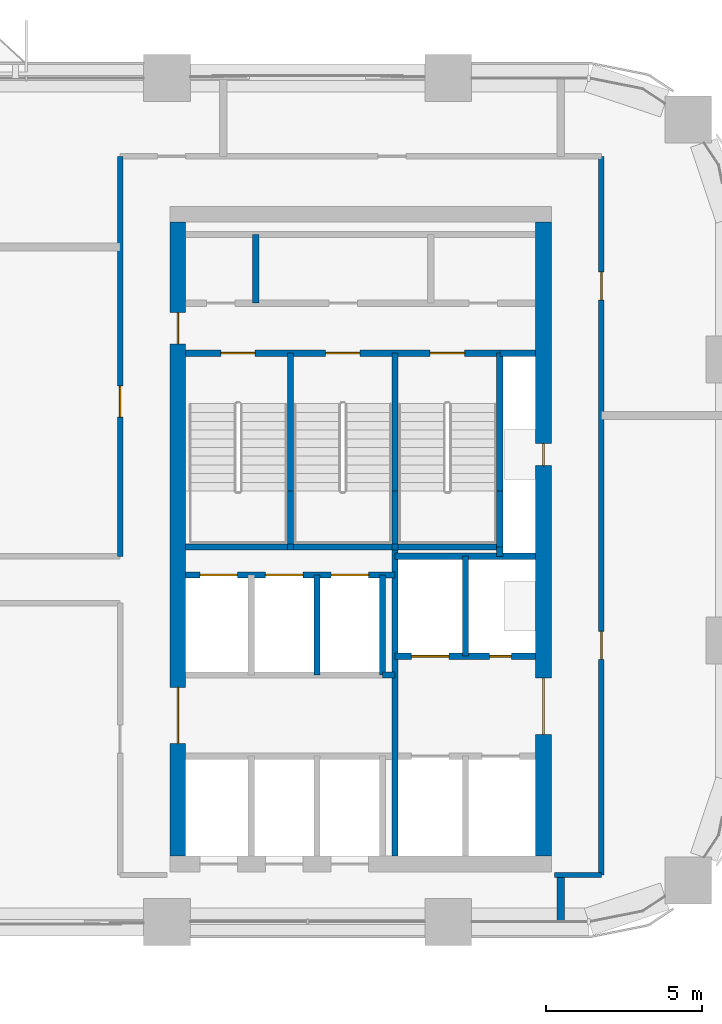
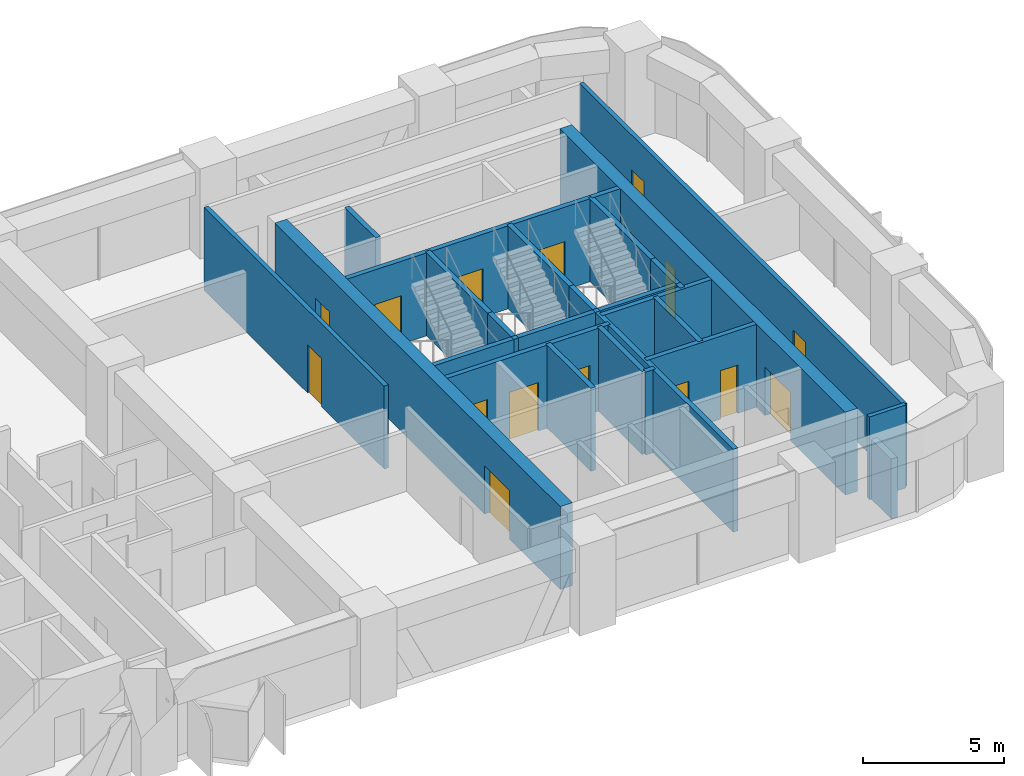
# One storey, part 10 of 13: 29 walls, 15 doors, 15 openings.
"""IFC4 building model written with IfcOpenShell, lengths in metres."""

from ifc_helpers import new_model, si_unit, direction, frame, frame_2d, origin, place, context, subcontext, project, spatial, rectangle, extrude, material, layer, layer_set, type_object, element, fill, save


model = new_model("IFC4")

# Units and contexts
model_context = context("Model", 3, precision=1e-05, world=origin(), true_north=direction((0.0, 1.0)))
body_context = subcontext(model_context, "Body", "Model", "MODEL_VIEW")
ifc_project = project(units=[si_unit("LENGTHUNIT", "METRE"), si_unit("AREAUNIT", "SQUARE_METRE"), si_unit("VOLUMEUNIT", "CUBIC_METRE"), si_unit("PLANEANGLEUNIT", "RADIAN"), si_unit("MASSUNIT", "GRAM", prefix="KILO")], contexts=[model_context])

# Site, building, storey
site_placement = place(None, origin())
site = spatial("IfcSite", under=ifc_project, at=site_placement, CompositionType="ELEMENT")
building_placement = place(site_placement, origin())
building = spatial("IfcBuilding", under=site, at=building_placement, Name="Tessera Arch", CompositionType="ELEMENT")
storey_placement = place(building_placement, frame((0.0, 0.0, 162.199951171875)))
storey = spatial("IfcBuildingStorey", under=building, at=storey_placement, Name="L38", CompositionType="ELEMENT", Elevation=162.199951171875)

# Walls
ifc_material_1 = material(Name="Gypsum board on steel stud", Category="steel")
ifc_layer_1 = layer(ifc_material_1, 0.125)
ifc_layer_set_1 = layer_set([ifc_layer_1], Name="Core partition 125 EI 60")
wall_type_1 = type_object("IfcWallType", Name="Core partition 125 EI 60", PredefinedType="PARTITIONING", material=ifc_layer_set_1)
wall_1_placement = place(storey_placement, frame((38.840087890625, 46.800048828125, 0.0), z_axis=(0.0, 0.0, 1.0), x_axis=(0.0, 1.0, 0.0)))
element("IfcWall", 1, at=wall_1_placement, inside=storey, type_object=wall_type_1, Name="L38 C1 partition wall 3", PredefinedType="PARTITIONING", context=body_context, shape_type="SweptSolid", body=[
    extrude(rectangle(XDim=2.199951171875, YDim=0.199951171875, at=frame_2d((1.10009765625, 0.0))), origin(), (0.0, 0.0, 1.0), 3.60009765625),
])
wall_2_placement = place(storey_placement, frame((42.89990234375, 34.89990234375, 0.0), z_axis=(0.0, 0.0, 1.0), x_axis=(1.0, 0.0, 0.0)))
element("IfcWall", 2, at=wall_2_placement, inside=storey, type_object=wall_type_1, Name="L38 C1 partition wall 20", PredefinedType="PARTITIONING", context=body_context, shape_type="SweptSolid", body=[
    extrude(rectangle(XDim=0.400146484375, YDim=0.199951171875, at=frame_2d((0.2001953125, 0.0))), origin(), (0.0, 0.0, 1.0), 3.60009765625),
])

# Wall, openings, doors
ifc_material_2 = material(Name="Concrete C60/75", Category="concrete")
ifc_layer_2 = layer(ifc_material_2, 0.5)
ifc_layer_set_2 = layer_set([ifc_layer_2], Name="Core shell wall 500 C60-75")
wall_type_2 = type_object("IfcWallType", Name="Core shell wall 500 C60-75", PredefinedType="SHEAR", material=ifc_layer_set_2)
wall_3_placement = place(storey_placement, frame((36.35009765625, 29.10009765625, 0.0), z_axis=(0.0, 0.0, 1.0), x_axis=(0.0, 1.0, 0.0)))
wall_3 = element("IfcWall", 3, at=wall_3_placement, inside=storey, type_object=wall_type_2, Name="L38 C1 core wall W", PredefinedType="SHEAR", context=body_context, shape_type="SweptSolid", body=[
    extrude(rectangle(XDim=20.2998046875, YDim=0.5, at=frame_2d((10.14990234375, 0.0))), origin(), (0.0, 0.0, 1.0), 3.60009765625),
])
opening_1_placement = place(wall_3_placement, frame((3.60009765625, 0.0, 0.0)))
opening_1 = element("IfcOpeningElement", 4, at=opening_1_placement, cuts=wall_3, Name="Opening L38-C10", PredefinedType="OPENING", context=body_context, shape_type="SweptSolid", body=[
    extrude(rectangle(XDim=1.800048828125, YDim=2.10009765625, at=frame_2d((0.89990234375, 1.050048828125))), frame((0.0, 0.260009765625, 0.0), z_axis=(0.0, -1.0, 0.0), x_axis=(1.0, 0.0, 0.0)), (0.0, 0.0, 1.0), 0.52001953125),
])
opening_2_placement = place(wall_3_placement, frame((16.39990234375, 0.0, 0.0)))
opening_2 = element("IfcOpeningElement", 5, at=opening_2_placement, cuts=wall_3, Name="Opening L38-C17", PredefinedType="OPENING", context=body_context, shape_type="SweptSolid", body=[
    extrude(rectangle(XDim=1.0, YDim=2.10009765625, at=frame_2d((0.5, 1.050048828125))), frame((0.0, 0.260009765625, 0.0), z_axis=(0.0, -1.0, 0.0), x_axis=(1.0, 0.0, 0.0)), (0.0, 0.0, 1.0), 0.52001953125),
])
ifc_material_3 = material(Name="Steel door leaf", Category="steel")
door_type_1 = type_object("IfcDoorType", Name="Corridor door FD60 1000 x 2100", OperationType="SINGLE_SWING_LEFT", PredefinedType="DOOR", material=ifc_material_3)
door_1_placement = place(opening_2_placement, origin())
door_1 = element("IfcDoor", 6, at=door_1_placement, inside=storey, type_object=door_type_1, Name="L38 C1 door 17 C17 type D12", OperationType="SINGLE_SWING_RIGHT", OverallHeight=2.10009765625, OverallWidth=1.0, PredefinedType="DOOR", context=body_context, shape_type="SweptSolid", body=[
    extrude(rectangle(XDim=1.0, YDim=2.10009765625, at=frame_2d((0.5, 1.050048828125))), frame((0.0, 0.02490234375, 0.0), z_axis=(0.0, -1.0, 0.0), x_axis=(1.0, 0.0, 0.0)), (0.0, 0.0, 1.0), 0.050048828125),
])
fill(opening_2, door_1)
ifc_material_4 = material(Name="Glazed steel door leaf", Category="steel")
door_type_2 = type_object("IfcDoorType", Name="Lobby double door FD30S 1800 x 2100", OperationType="DOUBLE_DOOR_SINGLE_SWING", PredefinedType="DOOR", material=ifc_material_4)
door_2_placement = place(opening_1_placement, origin())
door_2 = element("IfcDoor", 7, at=door_2_placement, inside=storey, type_object=door_type_2, Name="L38 C1 door 10 C10 type D06", OperationType="DOUBLE_DOOR_SINGLE_SWING", OverallHeight=2.10009765625, OverallWidth=1.800048828125, PredefinedType="DOOR", context=body_context, shape_type="SweptSolid", body=[
    extrude(rectangle(XDim=1.800048828125, YDim=2.10009765625, at=frame_2d((0.89990234375, 1.050048828125))), frame((0.0, 0.02490234375, 0.0), z_axis=(0.0, -1.0, 0.0), x_axis=(1.0, 0.0, 0.0)), (0.0, 0.0, 1.0), 0.050048828125),
])
fill(opening_1, door_2)

wall_4_placement = place(storey_placement, frame((48.050048828125, 29.10009765625, 0.0), z_axis=(0.0, 0.0, 1.0), x_axis=(0.0, 1.0, 0.0)))
wall_4 = element("IfcWall", 8, at=wall_4_placement, inside=storey, type_object=wall_type_2, Name="L38 C1 core wall E", PredefinedType="SHEAR", context=body_context, shape_type="SweptSolid", body=[
    extrude(rectangle(XDim=20.2998046875, YDim=0.5, at=frame_2d((10.14990234375, 0.0))), origin(), (0.0, 0.0, 1.0), 3.60009765625),
])
opening_3_placement = place(wall_4_placement, frame((12.5, 0.0, 0.0)))
opening_3 = element("IfcOpeningElement", 9, at=opening_3_placement, cuts=wall_4, Name="Opening L38-C14", PredefinedType="OPENING", context=body_context, shape_type="SweptSolid", body=[
    extrude(rectangle(XDim=0.699951171875, YDim=2.10009765625, at=frame_2d((0.35009765625, 1.050048828125))), frame((0.0, 0.260009765625, 0.0), z_axis=(0.0, -1.0, 0.0), x_axis=(1.0, 0.0, 0.0)), (0.0, 0.0, 1.0), 0.52001953125),
])
opening_4_placement = place(wall_4_placement, frame((3.89990234375, 0.0, 0.0)))
opening_4 = element("IfcOpeningElement", 10, at=opening_4_placement, cuts=wall_4, Name="Opening L38-C15", PredefinedType="OPENING", context=body_context, shape_type="SweptSolid", body=[
    extrude(rectangle(XDim=1.800048828125, YDim=2.10009765625, at=frame_2d((0.89990234375, 1.050048828125))), frame((0.0, 0.260009765625, 0.0), z_axis=(0.0, -1.0, 0.0), x_axis=(1.0, 0.0, 0.0)), (0.0, 0.0, 1.0), 0.52001953125),
])
ifc_material_5 = material(Name="Glazed steel door leaf", Category="steel")
door_type_3 = type_object("IfcDoorType", Name="Lobby double door FD60 1800 x 2100", OperationType="DOUBLE_DOOR_SINGLE_SWING", PredefinedType="DOOR", material=ifc_material_5)
door_3_placement = place(opening_4_placement, origin())
door_3 = element("IfcDoor", 11, at=door_3_placement, inside=storey, type_object=door_type_3, Name="L38 C1 door 15 C15 type D19", OperationType="DOUBLE_DOOR_SINGLE_SWING", OverallHeight=2.10009765625, OverallWidth=1.800048828125, PredefinedType="DOOR", context=body_context, shape_type="SweptSolid", body=[
    extrude(rectangle(XDim=1.800048828125, YDim=2.10009765625, at=frame_2d((0.89990234375, 1.050048828125))), frame((0.0, 0.02490234375, 0.0), z_axis=(0.0, -1.0, 0.0), x_axis=(1.0, 0.0, 0.0)), (0.0, 0.0, 1.0), 0.050048828125),
])
fill(opening_4, door_3)
ifc_material_6 = material(Name="Steel door leaf", Category="steel")
door_type_4 = type_object("IfcDoorType", Name="Service shaft door FD60 700 x 2100", OperationType="SINGLE_SWING_LEFT", PredefinedType="DOOR", material=ifc_material_6)
door_4_placement = place(opening_3_placement, origin())
door_4 = element("IfcDoor", 12, at=door_4_placement, inside=storey, type_object=door_type_4, Name="L38 C1 door 14 C14 type D07", OperationType="SINGLE_SWING_RIGHT", OverallHeight=2.10009765625, OverallWidth=0.699951171875, PredefinedType="DOOR", context=body_context, shape_type="SweptSolid", body=[
    extrude(rectangle(XDim=0.699951171875, YDim=2.10009765625, at=frame_2d((0.35009765625, 1.050048828125))), frame((0.0, 0.02490234375, 0.0), z_axis=(0.0, -1.0, 0.0), x_axis=(1.0, 0.0, 0.0)), (0.0, 0.0, 1.0), 0.050048828125),
])
fill(opening_3, door_4)

# Wall
ifc_material_7 = material(Name="Gypsum board on deep steel stud with mineral wool", Category="steel")
ifc_layer_3 = layer(ifc_material_7, 0.175048828125)
ifc_layer_set_3 = layer_set([ifc_layer_3], Name="Corridor wall 175 EI 60")
wall_type_3 = type_object("IfcWallType", Name="Corridor wall 175 EI 60", PredefinedType="PARTITIONING", material=ifc_layer_set_3)
wall_5_placement = place(storey_placement, frame((48.39990234375, 28.5, 0.0), z_axis=(0.0, 0.0, 1.0), x_axis=(1.0, 0.0, 0.0)))
element("IfcWall", 13, at=wall_5_placement, inside=storey, type_object=wall_type_3, Name="L38 partition 4", PredefinedType="PARTITIONING", context=body_context, shape_type="SweptSolid", body=[
    extrude(rectangle(XDim=1.5, YDim=0.175048828125, at=frame_2d((0.75, 0.0))), origin(), (0.0, 0.0, 1.0), 3.60009765625),
])

# Wall, opening, door
wall_6_placement = place(storey_placement, frame((34.5, 38.699951171875, 0.0), z_axis=(0.0, 0.0, 1.0), x_axis=(0.0, 1.0, 0.0)))
wall_6 = element("IfcWall", 14, at=wall_6_placement, inside=storey, type_object=wall_type_3, Name="L38 partition 13", PredefinedType="PARTITIONING", context=body_context, shape_type="SweptSolid", body=[
    extrude(rectangle(XDim=12.800048828125, YDim=0.175048828125, at=frame_2d((6.39990234375, 0.0))), origin(), (0.0, 0.0, 1.0), 3.60009765625),
])
opening_5_placement = place(wall_6_placement, frame((4.449951171875, 0.0, 0.0)))
opening_5 = element("IfcOpeningElement", 15, at=opening_5_placement, cuts=wall_6, Name="Opening L38-D010", PredefinedType="OPENING", context=body_context, shape_type="SweptSolid", body=[
    extrude(rectangle(XDim=1.0, YDim=2.10009765625, at=frame_2d((0.5, 1.050048828125))), frame((0.0, 0.097412109375, 0.0), z_axis=(0.0, -1.0, 0.0), x_axis=(1.0, 0.0, 0.0)), (0.0, 0.0, 1.0), 0.195068359375),
])
ifc_material_8 = material(Name="Fire-rated door leaf")
door_type_5 = type_object("IfcDoorType", Name="Entrance door FD30S 1000 x 2100", OperationType="SINGLE_SWING_LEFT", PredefinedType="DOOR", material=ifc_material_8)
door_5_placement = place(opening_5_placement, origin())
door_5 = element("IfcDoor", 16, at=door_5_placement, inside=storey, type_object=door_type_5, Name="L38 door D010 type D03", OperationType="SINGLE_SWING_LEFT", OverallHeight=2.10009765625, OverallWidth=1.0, PredefinedType="DOOR", context=body_context, shape_type="SweptSolid", body=[
    extrude(rectangle(XDim=1.0, YDim=2.10009765625, at=frame_2d((0.5, 1.050048828125))), frame((0.0, 0.02490234375, 0.0), z_axis=(0.0, -1.0, 0.0), x_axis=(1.0, 0.0, 0.0)), (0.0, 0.0, 1.0), 0.050048828125),
])
fill(opening_5, door_5)

# Wall, openings, doors
wall_7_placement = place(storey_placement, frame((49.89990234375, 28.5, 0.0), z_axis=(0.0, 0.0, 1.0), x_axis=(0.0, 1.0, 0.0)))
wall_7 = element("IfcWall", 17, at=wall_7_placement, inside=storey, type_object=wall_type_3, Name="L38 partition 14", PredefinedType="PARTITIONING", context=body_context, shape_type="SweptSolid", body=[
    extrude(rectangle(XDim=23.0, YDim=0.175048828125, at=frame_2d((11.5, 0.0))), origin(), (0.0, 0.0, 1.0), 3.60009765625),
])
opening_6_placement = place(wall_7_placement, frame((6.89990234375, 0.0, 0.0)))
opening_6 = element("IfcOpeningElement", 18, at=opening_6_placement, cuts=wall_7, Name="Opening L38-D008", PredefinedType="OPENING", context=body_context, shape_type="SweptSolid", body=[
    extrude(rectangle(XDim=0.89990234375, YDim=2.10009765625, at=frame_2d((0.449951171875, 1.050048828125))), frame((0.0, 0.097412109375, 0.0), z_axis=(0.0, -1.0, 0.0), x_axis=(1.0, 0.0, 0.0)), (0.0, 0.0, 1.0), 0.195068359375),
])
opening_7_placement = place(wall_7_placement, frame((18.39990234375, 0.0, 0.0)))
opening_7 = element("IfcOpeningElement", 19, at=opening_7_placement, cuts=wall_7, Name="Opening L38-D015", PredefinedType="OPENING", context=body_context, shape_type="SweptSolid", body=[
    extrude(rectangle(XDim=0.89990234375, YDim=2.10009765625, at=frame_2d((0.449951171875, 1.050048828125))), frame((0.0, 0.097412109375, 0.0), z_axis=(0.0, -1.0, 0.0), x_axis=(1.0, 0.0, 0.0)), (0.0, 0.0, 1.0), 0.195068359375),
])
ifc_material_9 = material(Name="Timber door leaf", Category="wood")
door_type_6 = type_object("IfcDoorType", Name="Room door 900 x 2100", OperationType="SINGLE_SWING_LEFT", PredefinedType="DOOR", material=ifc_material_9)
door_6_placement = place(opening_6_placement, origin())
door_6 = element("IfcDoor", 20, at=door_6_placement, inside=storey, type_object=door_type_6, Name="L38 door D008 type D01", OperationType="SINGLE_SWING_RIGHT", OverallHeight=2.10009765625, OverallWidth=0.89990234375, PredefinedType="DOOR", context=body_context, shape_type="SweptSolid", body=[
    extrude(rectangle(XDim=0.89990234375, YDim=2.10009765625, at=frame_2d((0.449951171875, 1.050048828125))), frame((0.0, 0.02490234375, 0.0), z_axis=(0.0, -1.0, 0.0), x_axis=(1.0, 0.0, 0.0)), (0.0, 0.0, 1.0), 0.050048828125),
])
fill(opening_6, door_6)
door_7_placement = place(opening_7_placement, origin())
door_7 = element("IfcDoor", 21, at=door_7_placement, inside=storey, type_object=door_type_6, Name="L38 door D015 type D01", OperationType="SINGLE_SWING_RIGHT", OverallHeight=2.10009765625, OverallWidth=0.89990234375, PredefinedType="DOOR", context=body_context, shape_type="SweptSolid", body=[
    extrude(rectangle(XDim=0.89990234375, YDim=2.10009765625, at=frame_2d((0.449951171875, 1.050048828125))), frame((0.0, 0.02490234375, 0.0), z_axis=(0.0, -1.0, 0.0), x_axis=(1.0, 0.0, 0.0)), (0.0, 0.0, 1.0), 0.050048828125),
])
fill(opening_7, door_7)

# Walls
ifc_material_10 = material(Name="Double gypsum board on twin steel stud with acoustic mineral wool", Category="steel")
ifc_layer_4 = layer(ifc_material_10, 0.25)
ifc_layer_set_4 = layer_set([ifc_layer_4], Name="Party wall 250 EI 60")
wall_type_4 = type_object("IfcWallType", Name="Party wall 250 EI 60", PredefinedType="PARTITIONING", material=ifc_layer_set_4)
wall_8_placement = place(storey_placement, frame((48.60009765625, 27.0, 0.0), z_axis=(0.0, 0.0, 1.0), x_axis=(0.0, 1.0, 0.0)))
element("IfcWall", 22, at=wall_8_placement, inside=storey, type_object=wall_type_4, Name="L38 partition 29", PredefinedType="PARTITIONING", context=body_context, shape_type="SweptSolid", body=[
    extrude(rectangle(XDim=1.5, YDim=0.25, at=frame_2d((0.75, 0.0))), origin(), (0.0, 0.0, 1.0), 2.60009765625),
])
ifc_material_11 = material(Name="Concrete C40/50", Category="concrete")
ifc_layer_5 = layer(ifc_material_11, 0.199951171875)
ifc_layer_set_5 = layer_set([ifc_layer_5], Name="Shaft wall 200 EI 120")
wall_type_5 = type_object("IfcWallType", Name="Shaft wall 200 EI 120", PredefinedType="SOLIDWALL", material=ifc_layer_set_5)
for number, where, z_axis, x_axis, name in (
    (23, (40.800048828125, 34.89990234375, 0.0), (0.0, 0.0, 1.0), (0.0, 1.0, 0.0), "L38 C1 shaft wall 7"),
    (24, (42.89990234375, 34.89990234375, 0.0), (0.0, 0.0, 1.0), (0.0, 1.0, 0.0), "L38 C1 shaft wall 9"),
):
    element("IfcWall", number, at=place(storey_placement, frame(where, z_axis=z_axis, x_axis=x_axis)), inside=storey, type_object=wall_type_5, Name=name, PredefinedType="SOLIDWALL", context=body_context, shape_type="SweptSolid", body=[
        extrude(rectangle(XDim=3.2001953125, YDim=0.199951171875, at=frame_2d((1.60009765625, 0.0))), origin(), (0.0, 0.0, 1.0), 3.60009765625),
    ])
wall_9_placement = place(storey_placement, frame((43.300048828125, 29.10009765625, 0.0), z_axis=(0.0, 0.0, 1.0), x_axis=(0.0, 1.0, 0.0)))
element("IfcWall", 25, at=wall_9_placement, inside=storey, type_object=wall_type_5, Name="L38 C1 shaft wall 10", PredefinedType="SOLIDWALL", context=body_context, shape_type="SweptSolid", body=[
    extrude(rectangle(XDim=9.89990234375, YDim=0.199951171875, at=frame_2d((4.949951171875, 0.0))), origin(), (0.0, 0.0, 1.0), 3.60009765625),
])
wall_10_placement = place(storey_placement, frame((45.550048828125, 35.5, 0.0), z_axis=(0.0, 0.0, 1.0), x_axis=(0.0, 1.0, 0.0)))
element("IfcWall", 26, at=wall_10_placement, inside=storey, type_object=wall_type_5, Name="L38 C1 shaft wall 15", PredefinedType="SOLIDWALL", context=body_context, shape_type="SweptSolid", body=[
    extrude(rectangle(XDim=3.199951171875, YDim=0.199951171875, at=frame_2d((1.60009765625, 0.0))), origin(), (0.0, 0.0, 1.0), 3.60009765625),
])
wall_11_placement = place(storey_placement, frame((46.64990234375, 38.699951171875, 0.0), z_axis=(0.0, 0.0, 1.0), x_axis=(0.0, 1.0, 0.0)))
element("IfcWall", 27, at=wall_11_placement, inside=storey, type_object=wall_type_5, Name="L38 C1 shaft wall 16", PredefinedType="SOLIDWALL", context=body_context, shape_type="SweptSolid", body=[
    extrude(rectangle(XDim=0.300048828125, YDim=0.199951171875, at=frame_2d((0.14990234375, 0.0))), origin(), (0.0, 0.0, 1.0), 3.60009765625),
])

# Wall, openings, doors
wall_12_placement = place(storey_placement, frame((43.300048828125, 35.5, 0.0), z_axis=(0.0, 0.0, 1.0), x_axis=(1.0, 0.0, 0.0)))
wall_12 = element("IfcWall", 28, at=wall_12_placement, inside=storey, type_object=wall_type_5, Name="L38 C1 shaft wall 22", PredefinedType="SOLIDWALL", context=body_context, shape_type="SweptSolid", body=[
    extrude(rectangle(XDim=4.5, YDim=0.199951171875, at=frame_2d((2.25, 0.0))), origin(), (0.0, 0.0, 1.0), 3.60009765625),
])
opening_8_placement = place(wall_12_placement, frame((0.52490234375, 0.0, 0.0)))
opening_8 = element("IfcOpeningElement", 29, at=opening_8_placement, cuts=wall_12, Name="Opening L38-C09", PredefinedType="OPENING", context=body_context, shape_type="SweptSolid", body=[
    extrude(rectangle(XDim=1.199951171875, YDim=2.10009765625, at=frame_2d((0.60009765625, 1.050048828125))), frame((0.0, 0.10986328125, 0.0), z_axis=(0.0, -1.0, 0.0), x_axis=(1.0, 0.0, 0.0)), (0.0, 0.0, 1.0), 0.219970703125),
])
opening_9_placement = place(wall_12_placement, frame((3.02490234375, 0.0, 0.0)))
opening_9 = element("IfcOpeningElement", 30, at=opening_9_placement, cuts=wall_12, Name="Opening L38-C16", PredefinedType="OPENING", context=body_context, shape_type="SweptSolid", body=[
    extrude(rectangle(XDim=0.699951171875, YDim=2.10009765625, at=frame_2d((0.35009765625, 1.050048828125))), frame((0.0, 0.10986328125, 0.0), z_axis=(0.0, -1.0, 0.0), x_axis=(1.0, 0.0, 0.0)), (0.0, 0.0, 1.0), 0.219970703125),
])
door_8_placement = place(opening_9_placement, origin())
door_8 = element("IfcDoor", 31, at=door_8_placement, inside=storey, type_object=door_type_4, Name="L38 C1 door 16 C16 type D07", OperationType="SINGLE_SWING_RIGHT", OverallHeight=2.10009765625, OverallWidth=0.699951171875, PredefinedType="DOOR", context=body_context, shape_type="SweptSolid", body=[
    extrude(rectangle(XDim=0.699951171875, YDim=2.10009765625, at=frame_2d((0.35009765625, 1.050048828125))), frame((0.0, 0.02490234375, 0.0), z_axis=(0.0, -1.0, 0.0), x_axis=(1.0, 0.0, 0.0)), (0.0, 0.0, 1.0), 0.050048828125),
])
fill(opening_9, door_8)
ifc_material_12 = material(Name="Stainless steel AISI 304", Category="steel")
door_type_7 = type_object("IfcDoorType", Name="Sliding landing door 1200 x 2100", OperationType="SLIDING_TO_LEFT", PredefinedType="DOOR", material=ifc_material_12)
door_9_placement = place(opening_8_placement, origin())
door_9 = element("IfcDoor", 32, at=door_9_placement, inside=storey, type_object=door_type_7, Name="L38 SV2 lift landing door C09 type LD", OperationType="SLIDING_TO_LEFT", OverallHeight=2.10009765625, OverallWidth=1.199951171875, PredefinedType="DOOR", context=body_context, shape_type="SweptSolid", body=[
    extrude(rectangle(XDim=1.199951171875, YDim=2.10009765625, at=frame_2d((0.60009765625, 1.050048828125))), frame((0.0, 0.02490234375, 0.0), z_axis=(0.0, -1.0, 0.0), x_axis=(1.0, 0.0, 0.0)), (0.0, 0.0, 1.0), 0.050048828125),
])
fill(opening_8, door_9)

wall_13_placement = place(storey_placement, frame((36.60009765625, 38.10009765625, 0.0), z_axis=(0.0, 0.0, 1.0), x_axis=(1.0, 0.0, 0.0)))
wall_13 = element("IfcWall", 33, at=wall_13_placement, inside=storey, type_object=wall_type_5, Name="L38 C1 shaft wall 23", PredefinedType="SOLIDWALL", context=body_context, shape_type="SweptSolid", body=[
    extrude(rectangle(XDim=6.699951171875, YDim=0.199951171875, at=frame_2d((3.35009765625, 0.0))), origin(), (0.0, 0.0, 1.0), 3.60009765625),
])
opening_10_placement = place(wall_13_placement, frame((0.449951171875, 0.0, 0.0)))
opening_10 = element("IfcOpeningElement", 34, at=opening_10_placement, cuts=wall_13, Name="Opening L38-C02", PredefinedType="OPENING", context=body_context, shape_type="SweptSolid", body=[
    extrude(rectangle(XDim=1.199951171875, YDim=2.10009765625, at=frame_2d((0.60009765625, 1.050048828125))), frame((0.0, 0.10986328125, 0.0), z_axis=(0.0, -1.0, 0.0), x_axis=(1.0, 0.0, 0.0)), (0.0, 0.0, 1.0), 0.219970703125),
])
opening_11_placement = place(wall_13_placement, frame((2.550048828125, 0.0, 0.0)))
opening_11 = element("IfcOpeningElement", 35, at=opening_11_placement, cuts=wall_13, Name="Opening L38-C04", PredefinedType="OPENING", context=body_context, shape_type="SweptSolid", body=[
    extrude(rectangle(XDim=1.199951171875, YDim=2.10009765625, at=frame_2d((0.60009765625, 1.050048828125))), frame((0.0, 0.10986328125, 0.0), z_axis=(0.0, -1.0, 0.0), x_axis=(1.0, 0.0, 0.0)), (0.0, 0.0, 1.0), 0.219970703125),
])
opening_12_placement = place(wall_13_placement, frame((4.64990234375, 0.0, 0.0)))
opening_12 = element("IfcOpeningElement", 36, at=opening_12_placement, cuts=wall_13, Name="Opening L38-C06", PredefinedType="OPENING", context=body_context, shape_type="SweptSolid", body=[
    extrude(rectangle(XDim=1.199951171875, YDim=2.10009765625, at=frame_2d((0.60009765625, 1.050048828125))), frame((0.0, 0.10986328125, 0.0), z_axis=(0.0, -1.0, 0.0), x_axis=(1.0, 0.0, 0.0)), (0.0, 0.0, 1.0), 0.219970703125),
])
door_10_placement = place(opening_10_placement, origin())
door_10 = element("IfcDoor", 37, at=door_10_placement, inside=storey, type_object=door_type_7, Name="L38 HR4 lift landing door C02 type LD", OperationType="SLIDING_TO_LEFT", OverallHeight=2.10009765625, OverallWidth=1.199951171875, PredefinedType="DOOR", context=body_context, shape_type="SweptSolid", body=[
    extrude(rectangle(XDim=1.199951171875, YDim=2.10009765625, at=frame_2d((0.60009765625, 1.050048828125))), frame((0.0, 0.02490234375, 0.0), z_axis=(0.0, -1.0, 0.0), x_axis=(1.0, 0.0, 0.0)), (0.0, 0.0, 1.0), 0.050048828125),
])
fill(opening_10, door_10)
door_11_placement = place(opening_11_placement, origin())
door_11 = element("IfcDoor", 38, at=door_11_placement, inside=storey, type_object=door_type_7, Name="L38 HR5 lift landing door C04 type LD", OperationType="SLIDING_TO_LEFT", OverallHeight=2.10009765625, OverallWidth=1.199951171875, PredefinedType="DOOR", context=body_context, shape_type="SweptSolid", body=[
    extrude(rectangle(XDim=1.199951171875, YDim=2.10009765625, at=frame_2d((0.60009765625, 1.050048828125))), frame((0.0, 0.02490234375, 0.0), z_axis=(0.0, -1.0, 0.0), x_axis=(1.0, 0.0, 0.0)), (0.0, 0.0, 1.0), 0.050048828125),
])
fill(opening_11, door_11)
door_12_placement = place(opening_12_placement, origin())
door_12 = element("IfcDoor", 39, at=door_12_placement, inside=storey, type_object=door_type_7, Name="L38 HR6 lift landing door C06 type LD", OperationType="SLIDING_TO_LEFT", OverallHeight=2.10009765625, OverallWidth=1.199951171875, PredefinedType="DOOR", context=body_context, shape_type="SweptSolid", body=[
    extrude(rectangle(XDim=1.199951171875, YDim=2.10009765625, at=frame_2d((0.60009765625, 1.050048828125))), frame((0.0, 0.02490234375, 0.0), z_axis=(0.0, -1.0, 0.0), x_axis=(1.0, 0.0, 0.0)), (0.0, 0.0, 1.0), 0.050048828125),
])
fill(opening_12, door_12)

# Walls
wall_14_placement = place(storey_placement, frame((43.300048828125, 38.699951171875, 0.0), z_axis=(0.0, 0.0, 1.0), x_axis=(1.0, 0.0, 0.0)))
element("IfcWall", 40, at=wall_14_placement, inside=storey, type_object=wall_type_5, Name="L38 C1 shaft wall 24", PredefinedType="SOLIDWALL", context=body_context, shape_type="SweptSolid", body=[
    extrude(rectangle(XDim=4.5, YDim=0.199951171875, at=frame_2d((2.25, 0.0))), origin(), (0.0, 0.0, 1.0), 3.60009765625),
])
wall_15_placement = place(storey_placement, frame((46.64990234375, 45.199951171875, 0.0), z_axis=(0.0, 0.0, 1.0), x_axis=(1.0, 0.0, 0.0)))
element("IfcWall", 41, at=wall_15_placement, inside=storey, type_object=wall_type_5, Name="L38 C1 shaft wall 30", PredefinedType="SOLIDWALL", context=body_context, shape_type="SweptSolid", body=[
    extrude(rectangle(XDim=1.150146484375, YDim=0.199951171875, at=frame_2d((0.5751953125, 0.0))), origin(), (0.0, 0.0, 1.0), 3.60009765625),
])
ifc_material_13 = material(Name="Concrete C40/50", Category="concrete")
ifc_layer_6 = layer(ifc_material_13, 0.199951171875)
ifc_layer_set_6 = layer_set([ifc_layer_6], Name="Stair well wall 200 REI 180")
wall_type_6 = type_object("IfcWallType", Name="Stair well wall 200 REI 180", PredefinedType="SOLIDWALL", material=ifc_layer_set_6)
wall_16_placement = place(storey_placement, frame((39.949951171875, 39.0, 0.0), z_axis=(0.0, 0.0, 1.0), x_axis=(0.0, 1.0, 0.0)))
element("IfcWall", 42, at=wall_16_placement, inside=storey, type_object=wall_type_6, Name="L38 C1 shaft wall 4", PredefinedType="SOLIDWALL", context=body_context, shape_type="SweptSolid", body=[
    extrude(rectangle(XDim=1.780029296875, YDim=0.199951171875, at=frame_2d((0.89013671875, 0.0))), origin(), (0.0, 0.0, 1.0), 3.60009765625),
])
wall_17_placement = place(storey_placement, frame((39.949951171875, 40.780029296875, 0.0), z_axis=(0.0, 0.0, 1.0), x_axis=(0.0, 1.0, 0.0)))
element("IfcWall", 43, at=wall_17_placement, inside=storey, type_object=wall_type_6, Name="L38 C1 shaft wall 5", PredefinedType="SOLIDWALL", context=body_context, shape_type="SweptSolid", body=[
    extrude(rectangle(XDim=4.419921875, YDim=0.199951171875, at=frame_2d((2.2099609375, 0.0))), origin(), (0.0, 0.0, 1.0), 3.60009765625),
])
wall_18_placement = place(storey_placement, frame((43.300048828125, 39.0, 0.0), z_axis=(0.0, 0.0, 1.0), x_axis=(0.0, 1.0, 0.0)))
element("IfcWall", 44, at=wall_18_placement, inside=storey, type_object=wall_type_6, Name="L38 C1 shaft wall 11", PredefinedType="SOLIDWALL", context=body_context, shape_type="SweptSolid", body=[
    extrude(rectangle(XDim=1.780029296875, YDim=0.199951171875, at=frame_2d((0.89013671875, 0.0))), origin(), (0.0, 0.0, 1.0), 3.60009765625),
])
wall_19_placement = place(storey_placement, frame((43.300048828125, 40.780029296875, 0.0), z_axis=(0.0, 0.0, 1.0), x_axis=(0.0, 1.0, 0.0)))
element("IfcWall", 45, at=wall_19_placement, inside=storey, type_object=wall_type_6, Name="L38 C1 shaft wall 12", PredefinedType="SOLIDWALL", context=body_context, shape_type="SweptSolid", body=[
    extrude(rectangle(XDim=4.419921875, YDim=0.199951171875, at=frame_2d((2.2099609375, 0.0))), origin(), (0.0, 0.0, 1.0), 3.60009765625),
])
wall_20_placement = place(storey_placement, frame((46.64990234375, 39.0, 0.0), z_axis=(0.0, 0.0, 1.0), x_axis=(0.0, 1.0, 0.0)))
element("IfcWall", 46, at=wall_20_placement, inside=storey, type_object=wall_type_6, Name="L38 C1 shaft wall 17", PredefinedType="SOLIDWALL", context=body_context, shape_type="SweptSolid", body=[
    extrude(rectangle(XDim=1.780029296875, YDim=0.199951171875, at=frame_2d((0.89013671875, 0.0))), origin(), (0.0, 0.0, 1.0), 3.60009765625),
])
wall_21_placement = place(storey_placement, frame((46.64990234375, 40.780029296875, 0.0), z_axis=(0.0, 0.0, 1.0), x_axis=(0.0, 1.0, 0.0)))
element("IfcWall", 47, at=wall_21_placement, inside=storey, type_object=wall_type_6, Name="L38 C1 shaft wall 18", PredefinedType="SOLIDWALL", context=body_context, shape_type="SweptSolid", body=[
    extrude(rectangle(XDim=4.419921875, YDim=0.199951171875, at=frame_2d((2.2099609375, 0.0))), origin(), (0.0, 0.0, 1.0), 3.60009765625),
])
wall_22_placement = place(storey_placement, frame((36.60009765625, 39.0, 0.0), z_axis=(0.0, 0.0, 1.0), x_axis=(1.0, 0.0, 0.0)))
element("IfcWall", 48, at=wall_22_placement, inside=storey, type_object=wall_type_6, Name="L38 C1 shaft wall 25", PredefinedType="SOLIDWALL", context=body_context, shape_type="SweptSolid", body=[
    extrude(rectangle(XDim=3.25, YDim=0.199951171875, at=frame_2d((1.625, 0.0))), origin(), (0.0, 0.0, 1.0), 3.60009765625),
])
wall_23_placement = place(storey_placement, frame((39.85009765625, 39.0, 0.0), z_axis=(0.0, 0.0, 1.0), x_axis=(1.0, 0.0, 0.0)))
element("IfcWall", 49, at=wall_23_placement, inside=storey, type_object=wall_type_6, Name="L38 C1 shaft wall 26", PredefinedType="SOLIDWALL", context=body_context, shape_type="SweptSolid", body=[
    extrude(rectangle(XDim=0.199951171875, YDim=0.199951171875, at=frame_2d((0.10009765625, 0.0))), origin(), (0.0, 0.0, 1.0), 3.60009765625),
])
wall_24_placement = place(storey_placement, frame((40.050048828125, 39.0, 0.0), z_axis=(0.0, 0.0, 1.0), x_axis=(1.0, 0.0, 0.0)))
element("IfcWall", 50, at=wall_24_placement, inside=storey, type_object=wall_type_6, Name="L38 C1 shaft wall 27", PredefinedType="SOLIDWALL", context=body_context, shape_type="SweptSolid", body=[
    extrude(rectangle(XDim=3.14990234375, YDim=0.199951171875, at=frame_2d((1.574951171875, 0.0))), origin(), (0.0, 0.0, 1.0), 3.60009765625),
])
wall_25_placement = place(storey_placement, frame((43.199951171875, 39.0, 0.0), z_axis=(0.0, 0.0, 1.0), x_axis=(1.0, 0.0, 0.0)))
element("IfcWall", 51, at=wall_25_placement, inside=storey, type_object=wall_type_6, Name="L38 C1 shaft wall 28", PredefinedType="SOLIDWALL", context=body_context, shape_type="SweptSolid", body=[
    extrude(rectangle(XDim=0.199951171875, YDim=0.199951171875, at=frame_2d((0.10009765625, 0.0))), origin(), (0.0, 0.0, 1.0), 3.60009765625),
])
wall_26_placement = place(storey_placement, frame((43.39990234375, 39.0, 0.0), z_axis=(0.0, 0.0, 1.0), x_axis=(1.0, 0.0, 0.0)))
element("IfcWall", 52, at=wall_26_placement, inside=storey, type_object=wall_type_6, Name="L38 C1 shaft wall 29", PredefinedType="SOLIDWALL", context=body_context, shape_type="SweptSolid", body=[
    extrude(rectangle(XDim=3.25, YDim=0.199951171875, at=frame_2d((1.625, 0.0))), origin(), (0.0, 0.0, 1.0), 3.60009765625),
])

# Wall, openings, doors
wall_27_placement = place(storey_placement, frame((36.60009765625, 45.199951171875, 0.0), z_axis=(0.0, 0.0, 1.0), x_axis=(1.0, 0.0, 0.0)))
wall_27 = element("IfcWall", 53, at=wall_27_placement, inside=storey, type_object=wall_type_6, Name="L38 C1 shaft wall 31", PredefinedType="SOLIDWALL", context=body_context, shape_type="SweptSolid", body=[
    extrude(rectangle(XDim=10.0498046875, YDim=0.199951171875, at=frame_2d((5.02490234375, 0.0))), origin(), (0.0, 0.0, 1.0), 3.60009765625),
])
opening_13_placement = place(wall_27_placement, frame((1.125, 0.0, 0.0)))
opening_13 = element("IfcOpeningElement", 54, at=opening_13_placement, cuts=wall_27, Name="Opening L38-C11", PredefinedType="OPENING", context=body_context, shape_type="SweptSolid", body=[
    extrude(rectangle(XDim=1.10009765625, YDim=2.10009765625, at=frame_2d((0.550048828125, 1.050048828125))), frame((0.0, 0.10986328125, 0.0), z_axis=(0.0, -1.0, 0.0), x_axis=(1.0, 0.0, 0.0)), (0.0, 0.0, 1.0), 0.219970703125),
])
opening_14_placement = place(wall_27_placement, frame((4.47509765625, 0.0, 0.0)))
opening_14 = element("IfcOpeningElement", 55, at=opening_14_placement, cuts=wall_27, Name="Opening L38-C12", PredefinedType="OPENING", context=body_context, shape_type="SweptSolid", body=[
    extrude(rectangle(XDim=1.10009765625, YDim=2.10009765625, at=frame_2d((0.550048828125, 1.050048828125))), frame((0.0, 0.10986328125, 0.0), z_axis=(0.0, -1.0, 0.0), x_axis=(1.0, 0.0, 0.0)), (0.0, 0.0, 1.0), 0.219970703125),
])
opening_15_placement = place(wall_27_placement, frame((7.824951171875, 0.0, 0.0)))
opening_15 = element("IfcOpeningElement", 56, at=opening_15_placement, cuts=wall_27, Name="Opening L38-C13", PredefinedType="OPENING", context=body_context, shape_type="SweptSolid", body=[
    extrude(rectangle(XDim=1.10009765625, YDim=2.10009765625, at=frame_2d((0.550048828125, 1.050048828125))), frame((0.0, 0.10986328125, 0.0), z_axis=(0.0, -1.0, 0.0), x_axis=(1.0, 0.0, 0.0)), (0.0, 0.0, 1.0), 0.219970703125),
])
ifc_material_14 = material(Name="Steel door leaf", Category="steel")
door_type_8 = type_object("IfcDoorType", Name="Stair door FD60 1100 x 2100", OperationType="SINGLE_SWING_LEFT", PredefinedType="DOOR", material=ifc_material_14)
door_13_placement = place(opening_13_placement, origin())
door_13 = element("IfcDoor", 57, at=door_13_placement, inside=storey, type_object=door_type_8, Name="L38 C1 door 11 C11 type D05", OperationType="SINGLE_SWING_LEFT", OverallHeight=2.10009765625, OverallWidth=1.10009765625, PredefinedType="DOOR", context=body_context, shape_type="SweptSolid", body=[
    extrude(rectangle(XDim=1.10009765625, YDim=2.10009765625, at=frame_2d((0.550048828125, 1.050048828125))), frame((0.0, 0.02490234375, 0.0), z_axis=(0.0, -1.0, 0.0), x_axis=(1.0, 0.0, 0.0)), (0.0, 0.0, 1.0), 0.050048828125),
])
fill(opening_13, door_13)
door_14_placement = place(opening_14_placement, origin())
door_14 = element("IfcDoor", 58, at=door_14_placement, inside=storey, type_object=door_type_8, Name="L38 C1 door 12 C12 type D05", OperationType="SINGLE_SWING_RIGHT", OverallHeight=2.10009765625, OverallWidth=1.10009765625, PredefinedType="DOOR", context=body_context, shape_type="SweptSolid", body=[
    extrude(rectangle(XDim=1.10009765625, YDim=2.10009765625, at=frame_2d((0.550048828125, 1.050048828125))), frame((0.0, 0.02490234375, 0.0), z_axis=(0.0, -1.0, 0.0), x_axis=(1.0, 0.0, 0.0)), (0.0, 0.0, 1.0), 0.050048828125),
])
fill(opening_14, door_14)
door_15_placement = place(opening_15_placement, origin())
door_15 = element("IfcDoor", 59, at=door_15_placement, inside=storey, type_object=door_type_8, Name="L38 C1 door 13 C13 type D05", OperationType="SINGLE_SWING_RIGHT", OverallHeight=2.10009765625, OverallWidth=1.10009765625, PredefinedType="DOOR", context=body_context, shape_type="SweptSolid", body=[
    extrude(rectangle(XDim=1.10009765625, YDim=2.10009765625, at=frame_2d((0.550048828125, 1.050048828125))), frame((0.0, 0.02490234375, 0.0), z_axis=(0.0, -1.0, 0.0), x_axis=(1.0, 0.0, 0.0)), (0.0, 0.0, 1.0), 0.050048828125),
])
fill(opening_15, door_15)

save(model, "model.ifc")
